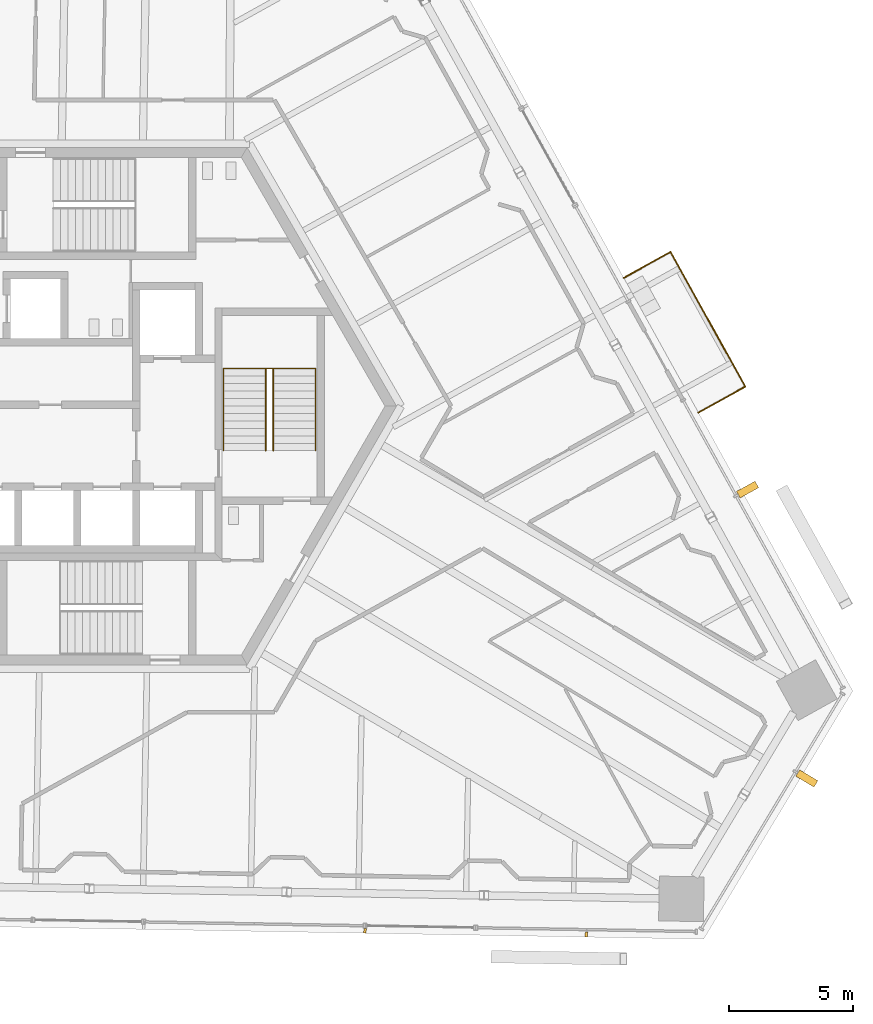
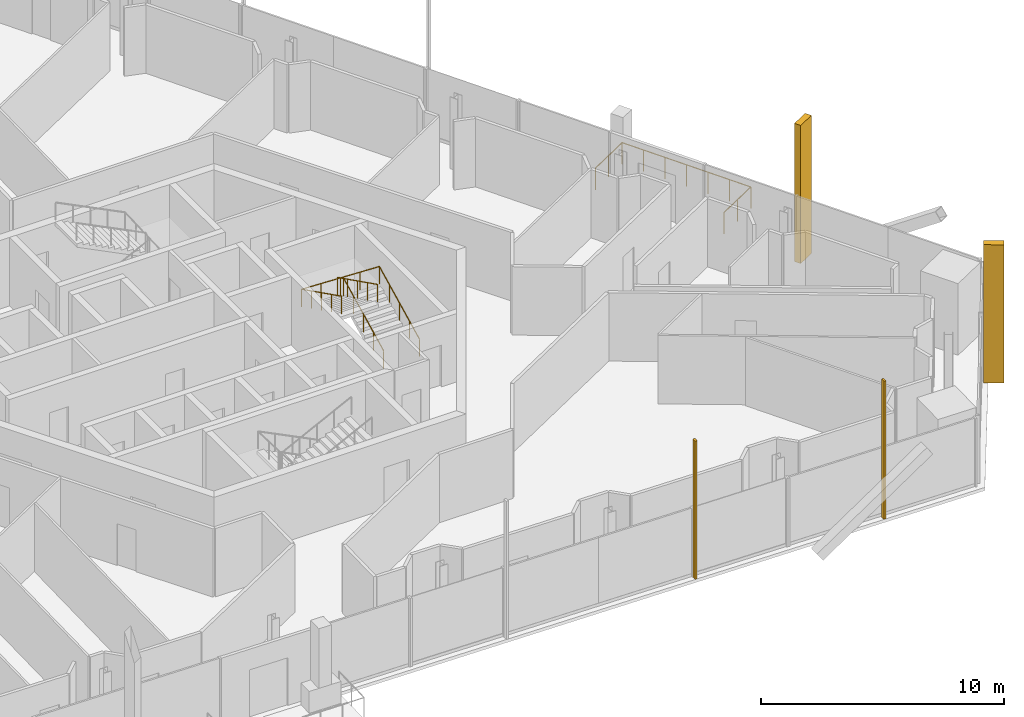
# One storey, part 18 of 22: 4 shading devices, 3 railings.
"""IFC4 building model written with IfcOpenShell, lengths in metres."""

import ifcopenshell
import ifcopenshell.guid

model = None  # the IFC model being written
_history = None  # IfcOwnerHistory: only IFC2X3 demands one
_inside = {}  # id of a spatial element -> (the spatial element, [elements in it])
_under = {}  # id of a project, library or spatial element -> (it, [spatial elements below it])
_declared = {}  # id of a project -> (the project, [libraries it declares])
_typed = {}  # id of a type object -> (the type object, [elements of that type])
_made_of = {}  # id of a material, layer set ... -> (it, [elements and type objects made of it])


def new_model(schema):
    """Start an empty IFC model of exactly this schema.

    Asked for "IFC4X3", IfcOpenShell would pick the latest addendum, in which some entities
    have other attributes; the version numbers below select the first issue.
    IFC2X3 requires an IfcOwnerHistory on every rooted entity: one is made here for all.
    """
    global model, _history
    if schema == "IFC4X3":
        model = ifcopenshell.file(schema_version=(4, 3, 0, 0))
    else:
        model = ifcopenshell.file(schema=schema)
    _inside.clear()
    _under.clear()
    _declared.clear()
    _typed.clear()
    _made_of.clear()
    _history = None
    if model.schema == "IFC2X3":
        org = make("IfcOrganization", Name="unknown")
        user = make(
            "IfcPersonAndOrganization",
            ThePerson=make("IfcPerson", FamilyName="unknown"),
            TheOrganization=org,
        )
        app = make(
            "IfcApplication",
            ApplicationDeveloper=org,
            Version="unknown",
            ApplicationFullName="unknown",
            ApplicationIdentifier="unknown",
        )
        _history = make(
            "IfcOwnerHistory",
            OwningUser=user,
            OwningApplication=app,
            ChangeAction="ADDED",
            CreationDate=0,
        )
    return model


def make(cls, **values):
    """One entity of the class cls with the attributes given. An attribute that is None is left unset."""
    return model.create_entity(
        cls, **{name: value for name, value in values.items() if value is not None}
    )


def rooted(cls, **values):
    """An entity with a GlobalId (a new one), such as an element, a storey or a relation."""
    return make(cls, GlobalId=ifcopenshell.guid.new(), OwnerHistory=_history, **values)


def si_unit(unit_type, name, prefix=None):
    """IfcSIUnit, for example si_unit("LENGTHUNIT", "METRE", prefix="MILLI")."""
    return make("IfcSIUnit", UnitType=unit_type, Prefix=prefix, Name=name)


def assignment(units):
    """IfcUnitAssignment: the units of a project."""
    return None if units is None else make("IfcUnitAssignment", Units=units)


def point(xyz):
    """IfcCartesianPoint."""
    return None if xyz is None else make("IfcCartesianPoint", Coordinates=xyz)


def direction(xyz):
    """IfcDirection."""
    return None if xyz is None else make("IfcDirection", DirectionRatios=xyz)


def frame(location, z_axis=None, x_axis=None):
    """IfcAxis2Placement3D, a coordinate frame: its origin and axes. An axis left out is left unset."""
    return make(
        "IfcAxis2Placement3D",
        Location=point(location),
        Axis=direction(z_axis),
        RefDirection=direction(x_axis),
    )


def frame_2d(location, x_axis=None):
    """IfcAxis2Placement2D, a coordinate frame in the plane: its origin and x axis."""
    return make(
        "IfcAxis2Placement2D", Location=point(location), RefDirection=direction(x_axis)
    )


def origin():
    """The frame at (0, 0, 0) with its axes left unset."""
    return frame((0.0, 0.0, 0.0))


def origin_2d():
    """The frame at (0, 0) in the plane with its x axis left unset."""
    return frame_2d((0.0, 0.0))


def place(relative_to, where):
    """IfcLocalPlacement: puts the frame where relative to a parent placement (None: the world)."""
    return make(
        "IfcLocalPlacement", PlacementRelTo=relative_to, RelativePlacement=where
    )


def context(
    kind, dimensions, precision=None, world=None, true_north=None, identifier=None
):
    """IfcGeometricRepresentationContext, for example the 3D "Model" context."""
    return make(
        "IfcGeometricRepresentationContext",
        ContextIdentifier=identifier,
        ContextType=kind,
        CoordinateSpaceDimension=dimensions,
        Precision=precision,
        WorldCoordinateSystem=world,
        TrueNorth=true_north,
    )


def subcontext(parent, identifier, kind, view, scale=None):
    """IfcGeometricRepresentationSubContext, for example "Body" below "Model"."""
    return make(
        "IfcGeometricRepresentationSubContext",
        ContextIdentifier=identifier,
        ContextType=kind,
        ParentContext=parent,
        TargetScale=scale,
        TargetView=view,
    )


def project(units=None, contexts=None):
    """IfcProject with its units and contexts."""
    return rooted(
        "IfcProject",
        Name="project",
        RepresentationContexts=contexts,
        UnitsInContext=assignment(units),
    )


def spatial(cls, under=None, at=None, **own):
    """A site, building, storey or space (cls), placed at a placement, below another one or the project."""
    s = rooted(cls, ObjectPlacement=at, **own)
    if under is not None:
        _under.setdefault(under.id(), (under, []))[1].append(s)
    return s


def profile(cls, at=None, kind="AREA", **sizes):
    """A parametric profile (cls). Its sizes go by their IFC names, for example OverallWidth=200.0."""
    return make(cls, ProfileType=kind, Position=at, **sizes)


def rectangle(**sizes):
    """IfcRectangleProfileDef."""
    return profile("IfcRectangleProfileDef", **sizes)


def circle(**sizes):
    """IfcCircleProfileDef."""
    return profile("IfcCircleProfileDef", **sizes)


def extrude(swept, where, along, depth):
    """IfcExtrudedAreaSolid: the profile swept, set in the frame where, extruded along a direction by depth."""
    return make(
        "IfcExtrudedAreaSolid",
        SweptArea=swept,
        Position=where,
        ExtrudedDirection=direction(along),
        Depth=depth,
    )


def shape(context_of_items, identifier, shape_type, items):
    """IfcShapeRepresentation: the items that make up one representation, for example the "Body"."""
    return make(
        "IfcShapeRepresentation",
        ContextOfItems=context_of_items,
        RepresentationIdentifier=identifier,
        RepresentationType=shape_type,
        Items=items,
    )


def source(mapping_origin, context_of_items, identifier, shape_type, items):
    """IfcRepresentationMap: a shape defined once, which mapped items show again and again."""
    return make(
        "IfcRepresentationMap",
        MappingOrigin=mapping_origin,
        MappedRepresentation=shape(context_of_items, identifier, shape_type, items),
    )


def transform(
    local_origin,
    x_axis=None,
    y_axis=None,
    z_axis=None,
    scale=None,
    scale2=None,
    scale3=None,
    uniform=True,
):
    """IfcCartesianTransformationOperator3D, or its non-uniform kind. x_axis, y_axis, z_axis: its Axis1, 2, 3."""
    if uniform:
        return make(
            "IfcCartesianTransformationOperator3D",
            Axis1=direction(x_axis),
            Axis2=direction(y_axis),
            LocalOrigin=point(local_origin),
            Scale=scale,
            Axis3=direction(z_axis),
        )
    return make(
        "IfcCartesianTransformationOperator3DnonUniform",
        Axis1=direction(x_axis),
        Axis2=direction(y_axis),
        LocalOrigin=point(local_origin),
        Scale=scale,
        Axis3=direction(z_axis),
        Scale2=scale2,
        Scale3=scale3,
    )


def mapped(mapping_source, mapping_target):
    """IfcMappedItem: shows the shape of a source again, moved by a transform."""
    return make(
        "IfcMappedItem", MappingSource=mapping_source, MappingTarget=mapping_target
    )


def material(Name=None, Category=None):
    """IfcMaterial."""
    return make("IfcMaterial", Name=Name, Category=Category)


def made_of(thing, what):
    """Note that an element or type object is made of a material, layer set ...; save() writes the relation."""
    if what is not None:
        _made_of.setdefault(what.id(), (what, []))[1].append(thing)
    return thing


def type_object(cls, material=None, **own):
    """A type object (cls), such as IfcWallType, which elements share."""
    return made_of(rooted(cls, **own), material)


def element(
    cls,
    number,
    at=None,
    inside=None,
    cuts=None,
    type_object=None,
    material=None,
    context=None,
    identifier="Body",
    shape_type=None,
    held_by="IfcProductDefinitionShape",
    body=None,
    shapes=None,
    **own,
):
    """One element of the class cls, such as IfcWall. Its Tag is "e" and its number.

    at: its placement. inside: the storey or other place that contains it. cuts: it is an
    opening in that element (IfcRelVoidsElement). A single representation is given by context,
    identifier, shape_type and body (its items); several are given by shapes. held_by: the class
    of the entity that holds the representations. save() writes the other relations.
    """
    e = rooted(cls, Tag="e%d" % number, ObjectPlacement=at, **own)
    if body is not None:
        shapes = [shape(context, identifier, shape_type, body)]
    if shapes is not None:
        e.Representation = make(held_by, Representations=shapes)
    if inside is not None:
        _inside.setdefault(inside.id(), (inside, []))[1].append(e)
    if cuts is not None:
        rooted(
            "IfcRelVoidsElement", RelatingBuildingElement=cuts, RelatedOpeningElement=e
        )
    if type_object is not None:
        _typed.setdefault(type_object.id(), (type_object, []))[1].append(e)
    return made_of(e, material)


def aggregate(whole, parts):
    """IfcRelAggregates: a whole, such as a stair, and the parts it consists of."""
    return rooted("IfcRelAggregates", RelatingObject=whole, RelatedObjects=parts)


def save(model, path):
    """Write the relations noted so far, then the file.

    IfcRelAggregates (storeys below a building ...), IfcRelContainedInSpatialStructure (elements
    in a storey), IfcRelDefinesByType, IfcRelAssociatesMaterial and IfcRelDeclares: one each for
    every whole, place, type object, material and project.
    """
    for whole, parts in _under.values():
        aggregate(whole, parts)
    for where, things in _inside.values():
        rooted(
            "IfcRelContainedInSpatialStructure",
            RelatedElements=things,
            RelatingStructure=where,
        )
    for kind, things in _typed.values():
        rooted("IfcRelDefinesByType", RelatedObjects=things, RelatingType=kind)
    for what, things in _made_of.values():
        rooted("IfcRelAssociatesMaterial", RelatedObjects=things, RelatingMaterial=what)
    for by, libraries in _declared.values():
        rooted("IfcRelDeclares", RelatingContext=by, RelatedDefinitions=libraries)
    model.write(path)


model = new_model("IFC4")

# Units and contexts
model_context = context("Model", 3, precision=1e-05, world=origin(), true_north=direction((0.0, 1.0)))
body_context = subcontext(model_context, "Body", "Model", "MODEL_VIEW")
ifc_project = project(units=[si_unit("LENGTHUNIT", "METRE"), si_unit("AREAUNIT", "SQUARE_METRE"), si_unit("VOLUMEUNIT", "CUBIC_METRE"), si_unit("PLANEANGLEUNIT", "RADIAN"), si_unit("MASSUNIT", "GRAM", prefix="KILO")], contexts=[model_context])

# Site, building, storey
site_placement = place(None, origin())
site = spatial("IfcSite", under=ifc_project, at=site_placement, CompositionType="ELEMENT")
building_placement = place(site_placement, origin())
building = spatial("IfcBuilding", under=site, at=building_placement, Name="Triune Harvest Tower", CompositionType="ELEMENT")
storey_placement = place(building_placement, frame((0.0, 0.0, 208.699951171875)))
storey = spatial("IfcBuildingStorey", under=building, at=storey_placement, Name="L54", CompositionType="ELEMENT", Elevation=208.699951171875)

# Railings
ifc_material_1 = material(Name="Glass", Category="glass")
railing_type_1 = type_object("IfcRailingType", Name="GD-2 balcony guard 1100", PredefinedType="GUARDRAIL", material=ifc_material_1)
railing_1_placement = place(storey_placement, frame((24.12646484375, -0.256591796875, 0.0)))
element("IfcRailing", 1, at=railing_1_placement, inside=storey, type_object=railing_type_1, Name="Balcony guard B5-F1 L54.4", PredefinedType="GUARDRAIL", context=body_context, shape_type="SweptSolid", body=[
    extrude(circle(Radius=0.02392578125, at=origin_2d()), frame((0.0, 0.0, 1.076171875), z_axis=(0.874639377657, 0.484774131996, 0.0), x_axis=(-0.484774131996, 0.874639377657, 0.0)), (0.0, 0.0, 1.0), 2.14794921875),
    extrude(circle(Radius=0.02392578125, at=origin_2d()), frame((1.878662109375, 1.041259765625, 1.076171875), z_axis=(-0.484828341621, 0.87460932945, 0.0), x_axis=(-0.87460932945, -0.484828341621, 0.0)), (0.0, 0.0, 1.0), 6.185302734375),
    extrude(circle(Radius=0.02392578125, at=origin_2d()), frame((-1.1201171875, 6.450927734375, 1.076171875), z_axis=(-0.874639377657, -0.484774131996, 0.0), x_axis=(0.484774131996, -0.874639377657, 0.0)), (0.0, 0.0, 1.0), 2.14794921875),
    extrude(circle(Radius=0.02099609375, at=origin_2d()), origin(), (0.0, 0.0, 1.0), 1.052001953125),
    extrude(circle(Radius=0.02099609375, at=origin_2d()), frame((0.939453125, 0.5205078125, 0.0)), (0.0, 0.0, 1.0), 1.052001953125),
    extrude(circle(Radius=0.02099609375, at=origin_2d()), frame((1.878662109375, 1.041259765625, 0.0)), (0.0, 0.0, 1.0), 1.052001953125),
    extrude(circle(Radius=0.02099609375, at=origin_2d()), frame((1.37890625, 1.94287109375, 0.0)), (0.0, 0.0, 1.0), 1.052001953125),
    extrude(circle(Radius=0.02099609375, at=origin_2d()), frame((0.879150390625, 2.844482421875, 0.0)), (0.0, 0.0, 1.0), 1.052001953125),
    extrude(circle(Radius=0.02099609375, at=origin_2d()), frame((0.37939453125, 3.74609375, 0.0)), (0.0, 0.0, 1.0), 1.052001953125),
    extrude(circle(Radius=0.02099609375, at=origin_2d()), frame((-0.12060546875, 4.647705078125, 0.0)), (0.0, 0.0, 1.0), 1.052001953125),
    extrude(circle(Radius=0.02099609375, at=origin_2d()), frame((-0.620361328125, 5.54931640625, 0.0)), (0.0, 0.0, 1.0), 1.052001953125),
    extrude(circle(Radius=0.02099609375, at=origin_2d()), frame((-1.1201171875, 6.450927734375, 0.0)), (0.0, 0.0, 1.0), 1.052001953125),
    extrude(circle(Radius=0.02099609375, at=origin_2d()), frame((-2.0595703125, 5.93017578125, 0.0)), (0.0, 0.0, 1.0), 1.052001953125),
    extrude(circle(Radius=0.02099609375, at=origin_2d()), frame((-2.998779296875, 5.40966796875, 0.0)), (0.0, 0.0, 1.0), 1.052001953125),
])
ifc_material_2 = material(Name="Stainless steel AISI 316", Category="steel")
railing_type_2 = type_object("IfcRailingType", Name="Stair handrail", PredefinedType="HANDRAIL", material=ifc_material_2)
shared_shape_1 = source(origin(), body_context, "Body", "SweptSolid", [
    extrude(circle(Radius=0.02392578125, at=origin_2d()), frame((0.0, 0.0, 0.8759765625), z_axis=(0.0, 0.894440424912, 0.447187126696), x_axis=(-1.0, 0.0, 0.0)), (0.0, 0.0, 1.0), 3.689453125),
    extrude(circle(Radius=0.02392578125, at=origin_2d()), frame((0.0, 3.300048828125, 2.52587890625), z_axis=(-0.999180289278, 0.0, 0.040481471304), x_axis=(0.0, -1.0, 0.0)), (0.0, 0.0, 1.0), 3.702880859375),
    extrude(circle(Radius=0.02392578125, at=origin_2d()), frame((-3.699951171875, 3.300048828125, 2.67578125), z_axis=(0.0, -0.894413956696, 0.447240063129), x_axis=(1.0, 0.0, 0.0)), (0.0, 0.0, 1.0), 3.689697265625),
    extrude(circle(Radius=0.02099609375, at=origin_2d()), origin(), (0.0, 0.0, 1.0), 0.851806640625),
    extrude(circle(Radius=0.02099609375, at=origin_2d()), frame((0.0, 0.824951171875, 0.41259765625)), (0.0, 0.0, 1.0), 0.851806640625),
    extrude(circle(Radius=0.02099609375, at=origin_2d()), frame((0.0, 1.64990234375, 0.824951171875)), (0.0, 0.0, 1.0), 0.851806640625),
    extrude(circle(Radius=0.02099609375, at=origin_2d()), frame((0.0, 2.47509765625, 1.2373046875)), (0.0, 0.0, 1.0), 0.851806640625),
    extrude(circle(Radius=0.02099609375, at=origin_2d()), frame((0.0, 3.300048828125, 1.64990234375)), (0.0, 0.0, 1.0), 0.851806640625),
    extrude(circle(Radius=0.02099609375, at=origin_2d()), frame((-0.925048828125, 3.300048828125, 1.6875)), (0.0, 0.0, 1.0), 0.851806640625),
    extrude(circle(Radius=0.02099609375, at=origin_2d()), frame((-1.85009765625, 3.300048828125, 1.724853515625)), (0.0, 0.0, 1.0), 0.851806640625),
    extrude(circle(Radius=0.02099609375, at=origin_2d()), frame((-2.77490234375, 3.300048828125, 1.76220703125)), (0.0, 0.0, 1.0), 0.851806640625),
    extrude(circle(Radius=0.02099609375, at=origin_2d()), frame((-3.699951171875, 3.300048828125, 1.7998046875)), (0.0, 0.0, 1.0), 0.851806640625),
    extrude(circle(Radius=0.02099609375, at=origin_2d()), frame((-3.699951171875, 2.47509765625, 2.21240234375)), (0.0, 0.0, 1.0), 0.851806640625),
    extrude(circle(Radius=0.02099609375, at=origin_2d()), frame((-3.699951171875, 1.64990234375, 2.625)), (0.0, 0.0, 1.0), 0.851806640625),
    extrude(circle(Radius=0.02099609375, at=origin_2d()), frame((-3.699951171875, 0.824951171875, 3.037353515625)), (0.0, 0.0, 1.0), 0.851806640625),
    extrude(circle(Radius=0.02099609375, at=origin_2d()), frame((-3.699951171875, 0.0, 3.449951171875)), (0.0, 0.0, 1.0), 0.851806640625),
])
railing_2_placement = place(storey_placement, frame((8.75, -1.7900390625, 0.150146484375)))
element("IfcRailing", 2, at=railing_2_placement, inside=storey, type_object=railing_type_2, Name="Exit stair east wall handrail", PredefinedType="HANDRAIL", context=body_context, shape_type="MappedRepresentation", body=[
    mapped(shared_shape_1, transform((0.0, 0.0, 0.0), scale=1.0)),
])
shared_shape_2 = source(origin(), body_context, "Body", "SweptSolid", [
    extrude(circle(Radius=0.02392578125, at=origin_2d()), frame((0.0, 0.0, 0.8759765625), z_axis=(0.0, 0.894440424912, 0.447187126696), x_axis=(-1.0, 0.0, 0.0)), (0.0, 0.0, 1.0), 3.689453125),
    extrude(circle(Radius=0.02392578125, at=origin_2d()), frame((0.0, 3.300048828125, 2.52587890625), z_axis=(-0.894572720946, 0.0, 0.446922417137), x_axis=(0.0, -1.0, 0.0)), (0.0, 0.0, 1.0), 0.33544921875),
    extrude(circle(Radius=0.02392578125, at=origin_2d()), frame((-0.300048828125, 3.300048828125, 2.67578125), z_axis=(0.0, -0.894413956696, 0.447240063129), x_axis=(1.0, 0.0, 0.0)), (0.0, 0.0, 1.0), 3.689697265625),
    extrude(circle(Radius=0.02099609375, at=origin_2d()), origin(), (0.0, 0.0, 1.0), 0.851806640625),
    extrude(circle(Radius=0.02099609375, at=origin_2d()), frame((0.0, 0.824951171875, 0.41259765625)), (0.0, 0.0, 1.0), 0.851806640625),
    extrude(circle(Radius=0.02099609375, at=origin_2d()), frame((0.0, 1.64990234375, 0.824951171875)), (0.0, 0.0, 1.0), 0.851806640625),
    extrude(circle(Radius=0.02099609375, at=origin_2d()), frame((0.0, 2.47509765625, 1.2373046875)), (0.0, 0.0, 1.0), 0.851806640625),
    extrude(circle(Radius=0.02099609375, at=origin_2d()), frame((0.0, 3.300048828125, 1.64990234375)), (0.0, 0.0, 1.0), 0.851806640625),
    extrude(circle(Radius=0.02099609375, at=origin_2d()), frame((-0.300048828125, 3.300048828125, 1.7998046875)), (0.0, 0.0, 1.0), 0.851806640625),
    extrude(circle(Radius=0.02099609375, at=origin_2d()), frame((-0.300048828125, 2.47509765625, 2.21240234375)), (0.0, 0.0, 1.0), 0.851806640625),
    extrude(circle(Radius=0.02099609375, at=origin_2d()), frame((-0.300048828125, 1.64990234375, 2.625)), (0.0, 0.0, 1.0), 0.851806640625),
    extrude(circle(Radius=0.02099609375, at=origin_2d()), frame((-0.300048828125, 0.824951171875, 3.037353515625)), (0.0, 0.0, 1.0), 0.851806640625),
    extrude(circle(Radius=0.02099609375, at=origin_2d()), frame((-0.300048828125, 0.0, 3.449951171875)), (0.0, 0.0, 1.0), 0.851806640625),
])
railing_3_placement = place(storey_placement, frame((7.050048828125, -1.7900390625, 0.150146484375)))
element("IfcRailing", 3, at=railing_3_placement, inside=storey, type_object=railing_type_2, Name="Exit stair east centre handrail", PredefinedType="HANDRAIL", context=body_context, shape_type="MappedRepresentation", body=[
    mapped(shared_shape_2, transform((0.0, 0.0, 0.0), scale=1.0)),
])

# Shading devices
ifc_material_3 = material(Name="Aluminium bronze anodised", Category="aluminium")
shared_shape_3 = source(origin(), body_context, "Body", "SweptSolid", [
    extrude(rectangle(XDim=0.300048828125, YDim=0.85009765625, at=origin_2d()), origin(), (0.0, 0.0, 1.0), 6.949951171875),
])
for number, where, z_axis, x_axis, name in (
    (4, (26.09814453125, -3.349609375, 0.0), (0.0, 0.0, 1.0), (-0.48480848305, 0.874620337497, 0.0), "FN-2 fin B5-F1.3 L54"),
    (5, (28.4765625, -14.9521484375, 0.0), (0.0, 0.0, 1.0), (0.515036685882, 0.857168135313, 0.0), "FN-2 fin B5-F6.3 L54"),
):
    element("IfcShadingDevice", number, at=place(storey_placement, frame(where, z_axis=z_axis, x_axis=x_axis)), inside=storey, material=ifc_material_3, Name=name, ObjectType="FIN", PredefinedType="USERDEFINED", context=body_context, shape_type="MappedRepresentation", body=[
        mapped(shared_shape_3, transform((0.0, 0.0, 0.0), scale=1.0)),
    ])
shared_shape_4 = source(origin(), body_context, "Body", "SweptSolid", [
    extrude(rectangle(XDim=0.10009765625, YDim=0.199951171875, at=origin_2d()), origin(), (0.0, 0.0, 1.0), 6.949951171875),
])
for number, where, z_axis, x_axis, name in (
    (6, (10.734130859375, -21.067626953125, 0.0), (0.0, 0.0, 1.0), (0.999847708228, -0.017451657526, 0.0), "FN-1 fin B5-F5.9 L54"),
    (7, (19.62841796875, -21.222900390625, 0.0), (0.0, 0.0, 1.0), (0.999847708228, -0.017451657526, 0.0), "FN-1 fin B5-F5.11 L54"),
):
    element("IfcShadingDevice", number, at=place(storey_placement, frame(where, z_axis=z_axis, x_axis=x_axis)), inside=storey, material=ifc_material_3, Name=name, ObjectType="FIN", PredefinedType="USERDEFINED", context=body_context, shape_type="MappedRepresentation", body=[
        mapped(shared_shape_4, transform((0.0, 0.0, 0.0), scale=1.0)),
    ])

save(model, "model.ifc")
